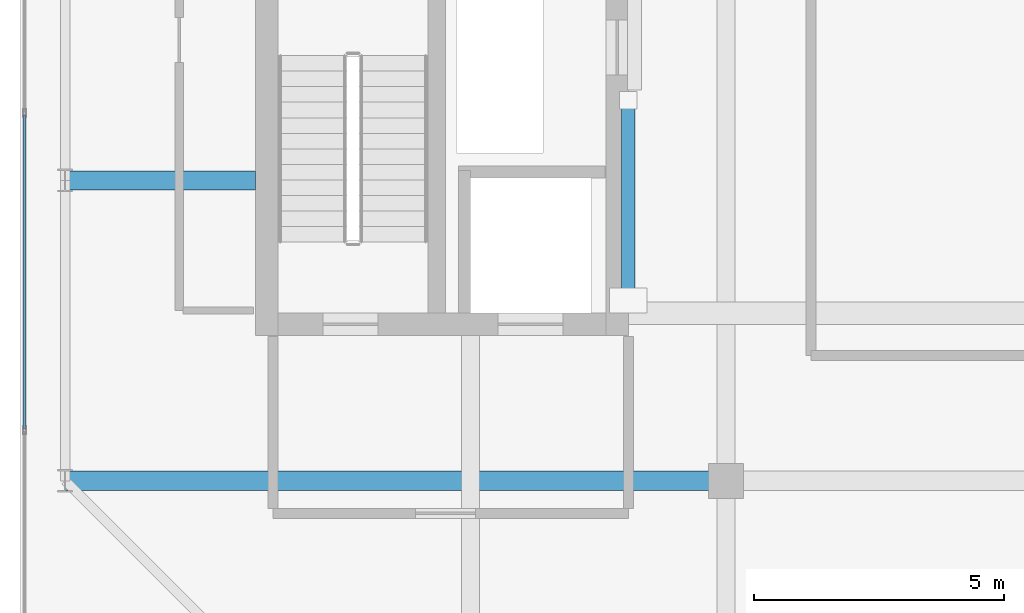
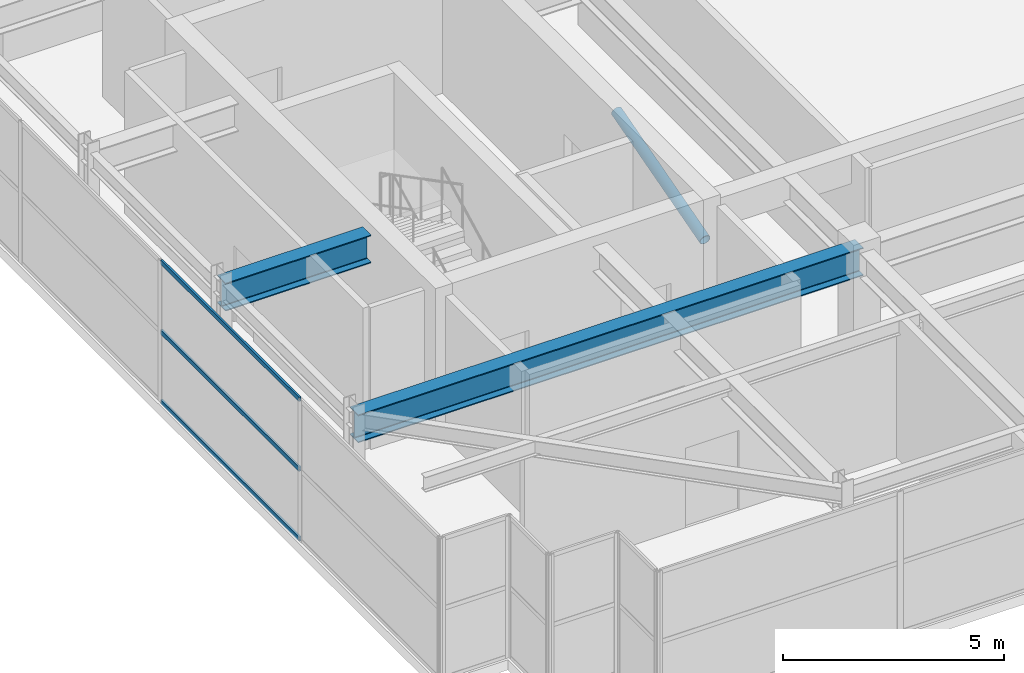
# One storey, part 6 of 32: 4 members, 2 beams, 1 element without a shape of its own.
"""IFC4 building model written with IfcOpenShell, lengths in metres."""

from ifc_helpers import new_model, si_unit, direction, frame, origin, origin_2d, place, context, subcontext, project, spatial, hollow_rectangle, hollow_circle, i_section, extrude, source, transform, mapped, material, layer, layer_set, material_profile, profile_set, type_object, element, aggregate, save


model = new_model("IFC4")

# Units and contexts
model_context = context("Model", 3, precision=1e-05, world=origin(), true_north=direction((0.0, 1.0)))
body_context = subcontext(model_context, "Body", "Model", "MODEL_VIEW")
ifc_project = project(units=[si_unit("LENGTHUNIT", "METRE"), si_unit("AREAUNIT", "SQUARE_METRE"), si_unit("VOLUMEUNIT", "CUBIC_METRE"), si_unit("PLANEANGLEUNIT", "RADIAN"), si_unit("MASSUNIT", "GRAM", prefix="KILO")], contexts=[model_context])

# Site, building, storey
site_placement = place(None, origin())
site = spatial("IfcSite", under=ifc_project, at=site_placement, CompositionType="ELEMENT")
building_placement = place(site_placement, origin())
building = spatial("IfcBuilding", under=site, at=building_placement, Name="Khoralis Quay Care Tower", CompositionType="ELEMENT")
storey_placement = place(building_placement, frame((0.0, 0.0, 306.300048828125)))
storey = spatial("IfcBuildingStorey", under=building, at=storey_placement, Name="L80", CompositionType="ELEMENT", Elevation=306.300048828125)

# Beams
ifc_material_1 = material(Name="Steel S355", Category="steel")
ifc_material_profile_1 = material_profile(ifc_material_1, i_section(OverallWidth=0.381103515625, OverallDepth=0.77294921875, WebThickness=0.0166015625, FlangeThickness=0.027587890625, FilletRadius=0.02197265625, at=origin_2d()), Name="Steel S355")
ifc_profile_set_1 = profile_set([ifc_material_profile_1], Name="Steel S355")
beam_type = type_object("IfcBeamType", Name="BM-W760X257", PredefinedType="BEAM", material=ifc_profile_set_1)
shared_shape_1 = source(origin(), body_context, "Body", "SweptSolid", [
    extrude(i_section(OverallWidth=0.381103515625, OverallDepth=0.77294921875, WebThickness=0.0166015625, FlangeThickness=0.027587890625, FilletRadius=0.02197265625, at=origin_2d()), origin(), (0.0, 0.0, 1.0), 13.2001953125),
])
beam_1_placement = place(storey_placement, frame((3.89990234375, 12.0, 3.533447265625), z_axis=(1.0, 0.0, 0.0), x_axis=(0.0, 1.0, 0.0)))
element("IfcBeam", 1, at=beam_1_placement, inside=storey, type_object=beam_type, Name="BM-TGXW-L80-120", PredefinedType="BEAM", context=body_context, shape_type="MappedRepresentation", body=[
    mapped(shared_shape_1, transform((0.0, 0.0, 0.0), scale=1.0)),
])
shared_shape_2 = source(origin(), body_context, "Body", "SweptSolid", [
    extrude(i_section(OverallWidth=0.381103515625, OverallDepth=0.77294921875, WebThickness=0.0166015625, FlangeThickness=0.027587890625, FilletRadius=0.02197265625, at=origin_2d()), origin(), (0.0, 0.0, 1.0), 3.802001953125),
])
beam_2_placement = place(storey_placement, frame((3.89990234375, 18.0, 3.533447265625), z_axis=(1.0, 0.0, 0.0), x_axis=(0.0, 1.0, 0.0)))
element("IfcBeam", 2, at=beam_2_placement, inside=storey, type_object=beam_type, Name="BM-TGXW-L80-180", PredefinedType="BEAM", context=body_context, shape_type="MappedRepresentation", body=[
    mapped(shared_shape_2, transform((0.0, 0.0, 0.0), scale=1.0)),
])

# Member
ifc_material_profile_2 = material_profile(ifc_material_1, hollow_circle(Radius=0.136474609375, WallThickness=0.012451171875, at=origin_2d()), Name="Steel S355")
ifc_profile_set_2 = profile_set([ifc_material_profile_2], Name="Steel S355")
member_type_1 = type_object("IfcMemberType", Name="ST-CHS273X12", PredefinedType="STRUT", material=ifc_profile_set_2)
shared_shape_3 = source(origin(), body_context, "Body", "SweptSolid", [
    extrude(hollow_circle(Radius=0.136474609375, WallThickness=0.012451171875, at=origin_2d()), origin(), (0.0, 0.0, 1.0), 4.156494140625),
])
member_1_placement = place(storey_placement, frame((15.14794921875, 15.60009765625, 2.52001953125), z_axis=(0.0, 0.962344148942, 0.2718340284), x_axis=(-1.0, 0.0, 0.0)))
element("IfcMember", 3, at=member_1_placement, inside=storey, type_object=member_type_1, Name="L80 Lantern Diagrid Strut 1", PredefinedType="STRUT", context=body_context, shape_type="MappedRepresentation", body=[
    mapped(shared_shape_3, transform((0.0, 0.0, 0.0), scale=1.0)),
])

# Curtain wall, members
ifc_material_2 = material(Name="Pale anodised aluminium", Category="aluminium")
ifc_layer = layer(ifc_material_2, 0.199951171875)
ifc_layer_set = layer_set([ifc_layer], Name="Pale anodised aluminium")
curtain_wall_type = type_object("IfcCurtainWallType", Name="CW-SYS-LANTERN", PredefinedType="NOTDEFINED", material=ifc_layer_set)
curtain_wall_placement = place(storey_placement, origin())
curtain_wall = element("IfcCurtainWall", 4, at=curtain_wall_placement, inside=storey, type_object=curtain_wall_type, Name="L80 Unitised Curtain Wall CW-LN-L80-16", PredefinedType="NOTDEFINED")
ifc_material_profile_3 = material_profile(ifc_material_2, hollow_rectangle(XDim=0.054931640625, YDim=0.1201171875, WallThickness=0.00390625, at=origin_2d()), Name="Pale anodised aluminium")
ifc_profile_set_3 = profile_set([ifc_material_profile_3], Name="Pale anodised aluminium")
member_type_2 = type_object("IfcMemberType", Name="CW-TRN-120", PredefinedType="USERDEFINED", material=ifc_profile_set_3)
shared_shape_4 = source(origin(), body_context, "Body", "SweptSolid", [
    extrude(hollow_rectangle(XDim=0.054931640625, YDim=0.1201171875, WallThickness=0.00390625, at=origin_2d()), origin(), (0.0, 0.0, 1.0), 6.26416015625),
])
member_2_placement = place(storey_placement, frame((3.090087890625, 19.30810546875, 0.030029296875), z_axis=(0.0, -1.0, 0.0), x_axis=(1.0, 0.0, 0.0)))
member_2 = element("IfcMember", 5, at=member_2_placement, type_object=member_type_2, Name="CW5 transom 4.1", ObjectType="TRANSOM", PredefinedType="USERDEFINED", context=body_context, shape_type="MappedRepresentation", body=[
    mapped(shared_shape_4, transform((0.0, 0.0, 0.0), scale=1.0)),
])
member_3_placement = place(storey_placement, frame((3.090087890625, 19.30810546875, 1.9599609375), z_axis=(0.0, -1.0, 0.0), x_axis=(1.0, 0.0, 0.0)))
member_3 = element("IfcMember", 6, at=member_3_placement, type_object=member_type_2, Name="CW5 transom 4.2", ObjectType="TRANSOM", PredefinedType="USERDEFINED", context=body_context, shape_type="MappedRepresentation", body=[
    mapped(shared_shape_4, transform((0.0, 0.0, 0.0), scale=1.0)),
])
member_4_placement = place(storey_placement, frame((3.090087890625, 19.30810546875, 3.889892578125), z_axis=(0.0, -1.0, 0.0), x_axis=(1.0, 0.0, 0.0)))
member_4 = element("IfcMember", 7, at=member_4_placement, type_object=member_type_2, Name="CW5 transom 4.3", ObjectType="TRANSOM", PredefinedType="USERDEFINED", context=body_context, shape_type="MappedRepresentation", body=[
    mapped(shared_shape_4, transform((0.0, 0.0, 0.0), scale=1.0)),
])
aggregate(curtain_wall, [member_2, member_3, member_4])

save(model, "model.ifc")
